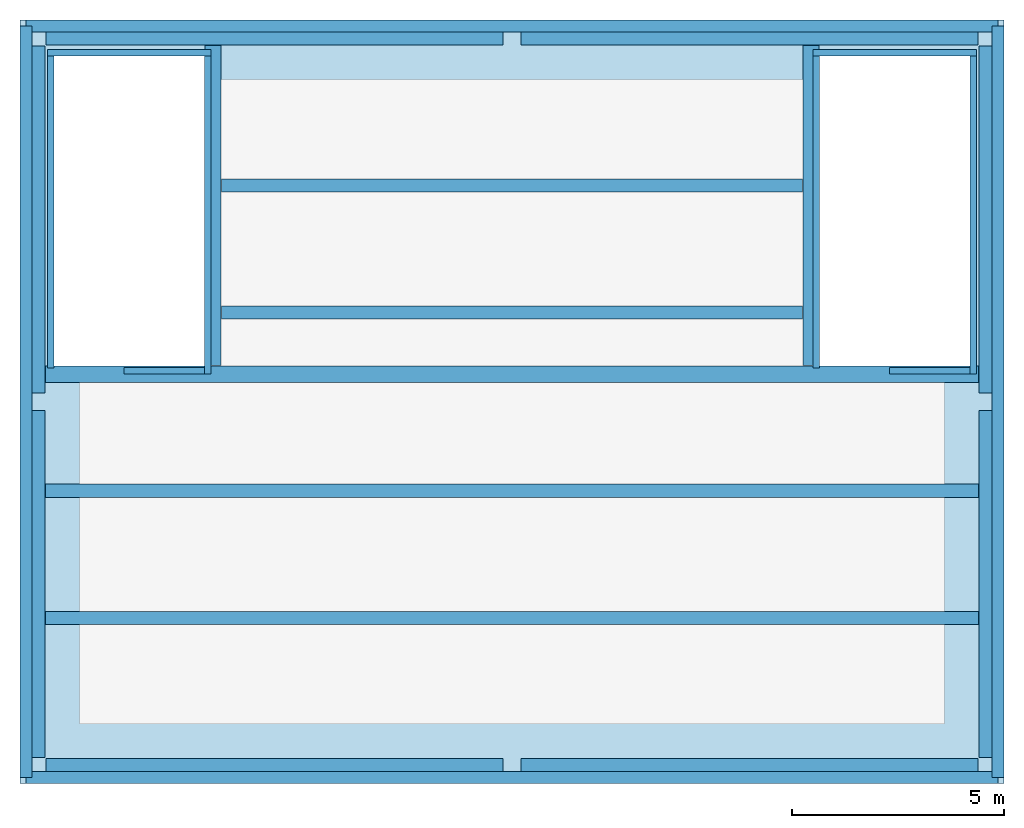
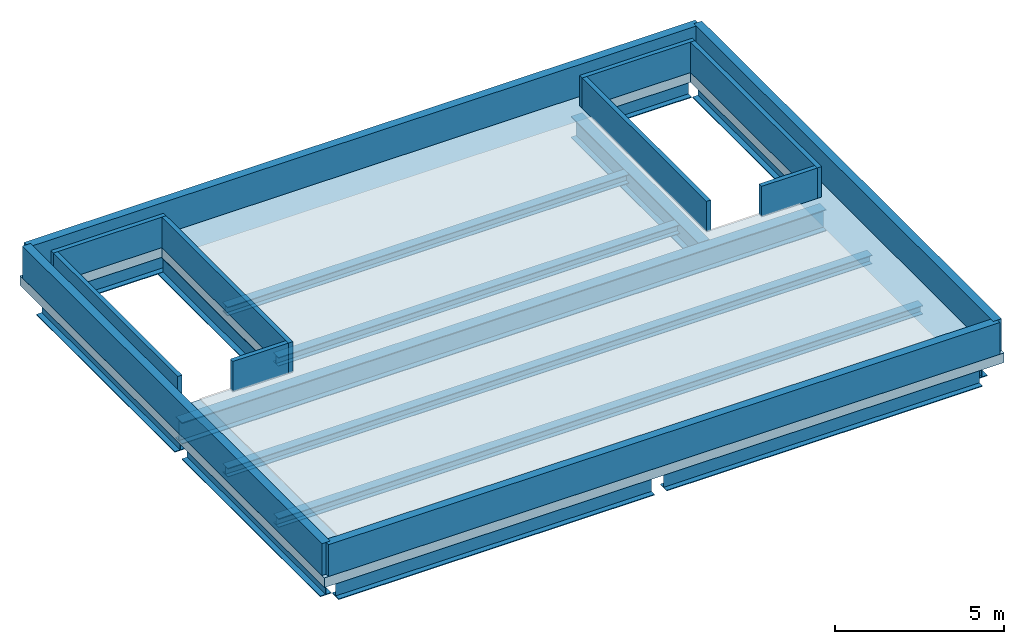
# One storey, part 1 of 2: 15 beams, 12 walls, 1 slab.
"""IFC4 building model written with IfcOpenShell, lengths in metres."""

from ifc_helpers import new_model, si_unit, derived_unit, direction, frame, frame_2d, origin, origin_2d, place, context, subcontext, project, spatial, polyline, rectangle, i_section, outline, extrude, material, layer, layer_set, material_profile, profile_set, type_object, element, save


model = new_model("IFC4")

# Units and contexts
model_context = context("Model", 3, precision=1e-05, world=origin(), true_north=direction((0.0, 1.0)))
body_context = subcontext(model_context, "Body", "Model", "MODEL_VIEW")
ifc_project = project(units=[si_unit("LENGTHUNIT", "METRE"), si_unit("AREAUNIT", "SQUARE_METRE"), si_unit("VOLUMEUNIT", "CUBIC_METRE"), si_unit("PLANEANGLEUNIT", "RADIAN"), si_unit("MASSUNIT", "GRAM", prefix="KILO"), derived_unit("THERMALTRANSMITTANCEUNIT", [(si_unit("POWERUNIT", "WATT"), 1), (si_unit("LENGTHUNIT", "METRE"), -2), (si_unit("THERMODYNAMICTEMPERATUREUNIT", "KELVIN"), -1)])], contexts=[model_context])

# Site, building, storey
site_placement = place(None, origin())
site = spatial("IfcSite", under=ifc_project, at=site_placement, CompositionType="ELEMENT")
building_placement = place(site_placement, origin())
building = spatial("IfcBuilding", under=site, at=building_placement, Name="Koralith Skygarden Medical Center", CompositionType="ELEMENT")
storey_placement = place(building_placement, frame((0.0, 0.0, 309.64990234375)))
storey = spatial("IfcBuildingStorey", under=building, at=storey_placement, Name="Upper Roof", CompositionType="ELEMENT", Elevation=309.64990234375)

# Beams
ifc_material_1 = material(Name="Steel ASTM A992 Grade 50", Category="steel")
ifc_material_profile_1 = material_profile(ifc_material_1, i_section(OverallWidth=0.382080078125, OverallDepth=0.779052734375, WebThickness=0.01806640625, FlangeThickness=0.030029296875, at=origin_2d()), Name="W30X191")
ifc_profile_set_1 = profile_set([ifc_material_profile_1], Name="Steel ASTM A992 Grade 50")
beam_type_1 = type_object("IfcBeamType", Name="Helipad Deck Girder W30X191", PredefinedType="BEAM", material=ifc_profile_set_1)
for number, where, z_axis, x_axis, name in (
    (1, (26.010009765625, 17.300048828125, -0.739013671875), (1.0, 0.0, 0.0), (0.0, 1.0, 0.0), "Helipad Ring Girder HRG-01"),
    (2, (37.2099609375, 17.300048828125, -0.739013671875), (1.0, 0.0, 0.0), (0.0, 1.0, 0.0), "Helipad Ring Girder HRG-02"),
):
    element("IfcBeam", number, at=place(storey_placement, frame(where, z_axis=z_axis, x_axis=x_axis)), inside=storey, type_object=beam_type_1, Name=name, PredefinedType="BEAM", context=body_context, shape_type="SweptSolid", body=[
        extrude(i_section(OverallWidth=0.382080078125, OverallDepth=0.779052734375, WebThickness=0.01806640625, FlangeThickness=0.030029296875, at=origin_2d()), origin(), (0.0, 0.0, 1.0), 10.780029296875),
    ])
for number, where, z_axis, x_axis, name in (
    (3, (48.199951171875, 17.510009765625, -0.739013671875), (0.0, 1.0, 0.0), (-1.0, 0.0, 0.0), "Helipad Ring Girder HRG-03"),
    (4, (48.199951171875, 26.110107421875, -0.739013671875), (0.0, 1.0, 0.0), (-1.0, 0.0, 0.0), "Helipad Ring Girder HRG-04"),
):
    element("IfcBeam", number, at=place(storey_placement, frame(where, z_axis=z_axis, x_axis=x_axis)), inside=storey, type_object=beam_type_1, Name=name, PredefinedType="BEAM", context=body_context, shape_type="SweptSolid", body=[
        extrude(i_section(OverallWidth=0.382080078125, OverallDepth=0.779052734375, WebThickness=0.01806640625, FlangeThickness=0.030029296875, at=origin_2d()), origin(), (0.0, 0.0, 1.0), 8.179931640625),
    ])
for number, where, z_axis, x_axis, name in (
    (5, (47.989990234375, 34.5, -0.739013671875), (-1.0, 0.0, 0.0), (0.0, -1.0, 0.0), "Helipad Ring Girder HRG-05"),
    (6, (36.7900390625, 34.5, -0.739013671875), (-1.0, 0.0, 0.0), (0.0, -1.0, 0.0), "Helipad Ring Girder HRG-06"),
):
    element("IfcBeam", number, at=place(storey_placement, frame(where, z_axis=z_axis, x_axis=x_axis)), inside=storey, type_object=beam_type_1, Name=name, PredefinedType="BEAM", context=body_context, shape_type="SweptSolid", body=[
        extrude(i_section(OverallWidth=0.382080078125, OverallDepth=0.779052734375, WebThickness=0.01806640625, FlangeThickness=0.030029296875, at=origin_2d()), origin(), (0.0, 0.0, 1.0), 10.780029296875),
    ])
for number, where, z_axis, x_axis, name in (
    (7, (25.800048828125, 34.2900390625, -0.739013671875), (0.0, -1.0, 0.0), (1.0, 0.0, 0.0), "Helipad Ring Girder HRG-07"),
    (8, (25.800048828125, 25.68994140625, -0.739013671875), (0.0, -1.0, 0.0), (1.0, 0.0, 0.0), "Helipad Ring Girder HRG-08"),
):
    element("IfcBeam", number, at=place(storey_placement, frame(where, z_axis=z_axis, x_axis=x_axis)), inside=storey, type_object=beam_type_1, Name=name, PredefinedType="BEAM", context=body_context, shape_type="SweptSolid", body=[
        extrude(i_section(OverallWidth=0.382080078125, OverallDepth=0.779052734375, WebThickness=0.01806640625, FlangeThickness=0.030029296875, at=origin_2d()), origin(), (0.0, 0.0, 1.0), 8.179931640625),
    ])
beam_placement = place(storey_placement, frame((26.0, 26.550048828125, -0.739013671875), z_axis=(1.0, 0.0, 0.0), x_axis=(0.0, 1.0, 0.0)))
element("IfcBeam", 9, at=beam_placement, inside=storey, type_object=beam_type_1, Name="Helipad Deck Header Girder HH-01", PredefinedType="BEAM", context=body_context, shape_type="SweptSolid", body=[
    extrude(i_section(OverallWidth=0.382080078125, OverallDepth=0.779052734375, WebThickness=0.01806640625, FlangeThickness=0.030029296875, at=origin_2d()), origin(), (0.0, 0.0, 1.0), 22.0),
])
for number, where, z_axis, x_axis, name in (
    (10, (29.948974609375, 26.75, -0.739013671875), (0.0, 1.0, 0.0), (-1.0, 0.0, 0.0), "Helipad Deck Trimmer Girder HT-01"),
    (11, (44.051025390625, 26.75, -0.739013671875), (0.0, 1.0, 0.0), (-1.0, 0.0, 0.0), "Helipad Deck Trimmer Girder HT-02"),
):
    element("IfcBeam", number, at=place(storey_placement, frame(where, z_axis=z_axis, x_axis=x_axis)), inside=storey, type_object=beam_type_1, Name=name, PredefinedType="BEAM", context=body_context, shape_type="SweptSolid", body=[
        extrude(i_section(OverallWidth=0.382080078125, OverallDepth=0.779052734375, WebThickness=0.01806640625, FlangeThickness=0.030029296875, at=origin_2d()), origin(), (0.0, 0.0, 1.0), 7.550048828125),
    ])
ifc_material_profile_2 = material_profile(ifc_material_1, i_section(OverallWidth=0.30908203125, OverallDepth=0.322998046875, WebThickness=0.013916015625, FlangeThickness=0.02294921875, at=origin_2d()), Name="W12X96")
ifc_profile_set_2 = profile_set([ifc_material_profile_2], Name="Steel ASTM A992 Grade 50")
beam_type_2 = type_object("IfcBeamType", Name="Helipad Secondary Joist W12X96", PredefinedType="JOIST", material=ifc_profile_set_2)
for number, where, z_axis, x_axis, name in (
    (12, (26.0, 20.800048828125, -0.510986328125), (1.0, 0.0, 0.0), (0.0, 1.0, 0.0), "Helipad Deck Joist HJ-01"),
    (13, (26.0, 23.800048828125, -0.510986328125), (1.0, 0.0, 0.0), (0.0, 1.0, 0.0), "Helipad Deck Joist HJ-02"),
):
    element("IfcBeam", number, at=place(storey_placement, frame(where, z_axis=z_axis, x_axis=x_axis)), inside=storey, type_object=beam_type_2, Name=name, PredefinedType="JOIST", context=body_context, shape_type="SweptSolid", body=[
        extrude(i_section(OverallWidth=0.30908203125, OverallDepth=0.322998046875, WebThickness=0.013916015625, FlangeThickness=0.02294921875, at=origin_2d()), origin(), (0.0, 0.0, 1.0), 22.0),
    ])
for number, where, z_axis, x_axis, name in (
    (14, (30.14892578125, 28.0, -0.510986328125), (1.0, 0.0, 0.0), (0.0, 1.0, 0.0), "Helipad Deck Joist HJ-03"),
    (15, (30.14892578125, 31.0, -0.510986328125), (1.0, 0.0, 0.0), (0.0, 1.0, 0.0), "Helipad Deck Joist HJ-04"),
):
    element("IfcBeam", number, at=place(storey_placement, frame(where, z_axis=z_axis, x_axis=x_axis)), inside=storey, type_object=beam_type_2, Name=name, PredefinedType="JOIST", context=body_context, shape_type="SweptSolid", body=[
        extrude(i_section(OverallWidth=0.30908203125, OverallDepth=0.322998046875, WebThickness=0.013916015625, FlangeThickness=0.02294921875, at=origin_2d()), origin(), (0.0, 0.0, 1.0), 13.7021484375),
    ])

# Slab
ifc_material_2 = material(Name="Concrete C55/67", Category="concrete")
ifc_layer_1 = layer(ifc_material_2, 0.35009765625)
ifc_layer_set_1 = layer_set([ifc_layer_1], Name="Concrete C55/67")
slab_type = type_object("IfcSlabType", Name="Air-Ambulance Helipad Deck Slab 350", PredefinedType="ROOF", material=ifc_layer_set_1)
slab_placement = place(storey_placement, frame((0.0, 0.0, -0.349853515625)))
element("IfcSlab", 16, at=slab_placement, inside=storey, type_object=slab_type, Name="Rooftop Air-Ambulance Helipad Deck", PredefinedType="ROOF", context=body_context, shape_type="SweptSolid", body=[
    extrude(outline(polyline([(25.39990234375, 16.89990234375), (48.60009765625, 16.89990234375), (48.60009765625, 34.89990234375), (25.39990234375, 34.89990234375), (25.39990234375, 16.89990234375)]), holes=[polyline([(26.199951171875, 26.705078125), (29.75, 26.705078125), (29.75, 34.050048828125), (26.199951171875, 34.050048828125), (26.199951171875, 26.705078125)]), polyline([(44.25, 26.705078125), (47.800048828125, 26.705078125), (47.800048828125, 34.050048828125), (44.25, 34.050048828125), (44.25, 26.705078125)])]), origin(), (0.0, 0.0, 1.0), 0.349853515625),
])

# Walls
ifc_material_3 = material(Name="Concrete C45/55", Category="concrete")
ifc_layer_2 = layer(ifc_material_3, 0.14990234375)
ifc_layer_set_2 = layer_set([ifc_layer_2], Name="Concrete C45/55")
wall_type_1 = type_object("IfcWallType", Name="Deck Opening Parapet Upstand 150", PredefinedType="PARAPET", material=ifc_layer_set_2)
wall_1_placement = place(storey_placement, frame((29.89990234375, 34.125, 0.0), z_axis=(0.0, 0.0, 1.0), x_axis=(-1.0, 0.0, 0.0)))
element("IfcWall", 17, at=wall_1_placement, inside=storey, type_object=wall_type_1, Name="Helipad Deck ST1 Stair Opening Parapet FAR", PredefinedType="PARAPET", context=body_context, shape_type="SweptSolid", body=[
    extrude(rectangle(XDim=3.849853515625, YDim=0.14990234375, at=frame_2d((1.9248046875, 0.0))), origin(), (0.0, 0.0, 1.0), 1.10009765625),
])
wall_2_placement = place(storey_placement, frame((29.824951171875, 26.554931640625, 0.0), z_axis=(0.0, 0.0, 1.0), x_axis=(0.0, 1.0, 0.0)))
element("IfcWall", 18, at=wall_2_placement, inside=storey, type_object=wall_type_1, Name="Helipad Deck ST1 Stair Opening Parapet LEFT", PredefinedType="PARAPET", context=body_context, shape_type="SweptSolid", body=[
    extrude(rectangle(XDim=7.4951171875, YDim=0.14990234375, at=frame_2d((3.74755859375, 0.0))), origin(), (0.0, 0.0, 1.0), 1.10009765625),
])
wall_3_placement = place(storey_placement, frame((26.125, 26.699951171875, 0.0), z_axis=(0.0, 0.0, 1.0), x_axis=(0.0, 1.0, 0.0)))
element("IfcWall", 19, at=wall_3_placement, inside=storey, type_object=wall_type_1, Name="Helipad Deck ST1 Stair Opening Parapet RIGHT", PredefinedType="PARAPET", context=body_context, shape_type="SweptSolid", body=[
    extrude(rectangle(XDim=7.35009765625, YDim=0.14990234375, at=frame_2d((3.675048828125, 0.0))), origin(), (0.0, 0.0, 1.0), 1.10009765625),
])
wall_4_placement = place(storey_placement, frame((29.75, 26.6298828125, 0.0), z_axis=(0.0, 0.0, 1.0), x_axis=(-1.0, 0.0, 0.0)))
element("IfcWall", 20, at=wall_4_placement, inside=storey, type_object=wall_type_1, Name="Helipad Deck ST1 Stair Opening Parapet NEAR", PredefinedType="PARAPET", context=body_context, shape_type="SweptSolid", body=[
    extrude(rectangle(XDim=1.89990234375, YDim=0.14990234375, at=frame_2d((0.949951171875, 0.0))), origin(), (0.0, 0.0, 1.0), 1.10009765625),
])
wall_5_placement = place(storey_placement, frame((47.949951171875, 34.125, 0.0), z_axis=(0.0, 0.0, 1.0), x_axis=(-1.0, 0.0, 0.0)))
element("IfcWall", 21, at=wall_5_placement, inside=storey, type_object=wall_type_1, Name="Helipad Deck ST2 Stair Opening Parapet FAR", PredefinedType="PARAPET", context=body_context, shape_type="SweptSolid", body=[
    extrude(rectangle(XDim=3.849853515625, YDim=0.14990234375, at=frame_2d((1.9248046875, 0.0))), origin(), (0.0, 0.0, 1.0), 1.10009765625),
])
wall_6_placement = place(storey_placement, frame((47.875, 26.554931640625, 0.0), z_axis=(0.0, 0.0, 1.0), x_axis=(0.0, 1.0, 0.0)))
element("IfcWall", 22, at=wall_6_placement, inside=storey, type_object=wall_type_1, Name="Helipad Deck ST2 Stair Opening Parapet LEFT", PredefinedType="PARAPET", context=body_context, shape_type="SweptSolid", body=[
    extrude(rectangle(XDim=7.4951171875, YDim=0.14990234375, at=frame_2d((3.74755859375, 0.0))), origin(), (0.0, 0.0, 1.0), 1.10009765625),
])
wall_7_placement = place(storey_placement, frame((44.175048828125, 26.699951171875, 0.0), z_axis=(0.0, 0.0, 1.0), x_axis=(0.0, 1.0, 0.0)))
element("IfcWall", 23, at=wall_7_placement, inside=storey, type_object=wall_type_1, Name="Helipad Deck ST2 Stair Opening Parapet RIGHT", PredefinedType="PARAPET", context=body_context, shape_type="SweptSolid", body=[
    extrude(rectangle(XDim=7.35009765625, YDim=0.14990234375, at=frame_2d((3.675048828125, 0.0))), origin(), (0.0, 0.0, 1.0), 1.10009765625),
])
wall_8_placement = place(storey_placement, frame((47.800048828125, 26.6298828125, 0.0), z_axis=(0.0, 0.0, 1.0), x_axis=(-1.0, 0.0, 0.0)))
element("IfcWall", 24, at=wall_8_placement, inside=storey, type_object=wall_type_1, Name="Helipad Deck ST2 Stair Opening Parapet NEAR", PredefinedType="PARAPET", context=body_context, shape_type="SweptSolid", body=[
    extrude(rectangle(XDim=1.900146484375, YDim=0.14990234375, at=frame_2d((0.9501953125, 0.0))), origin(), (0.0, 0.0, 1.0), 1.10009765625),
])
ifc_layer_3 = layer(ifc_material_3, 0.280029296875)
ifc_layer_set_3 = layer_set([ifc_layer_3], Name="Concrete C45/55")
wall_type_2 = type_object("IfcWallType", Name="Maintenance Roof Parapet Upstand 280", PredefinedType="PARAPET", material=ifc_layer_set_3)
wall_9_placement = place(storey_placement, frame((25.5400390625, 17.0400390625, 0.0), z_axis=(0.0, 0.0, 1.0), x_axis=(1.0, 0.0, 0.0)))
element("IfcWall", 25, at=wall_9_placement, inside=storey, type_object=wall_type_2, Name="RF Helipad Perimeter Safety Upstand S", PredefinedType="PARAPET", context=body_context, shape_type="SweptSolid", body=[
    extrude(rectangle(XDim=22.919921875, YDim=0.280029296875, at=frame_2d((11.4599609375, 0.0))), origin(), (0.0, 0.0, 1.0), 1.150146484375),
])
wall_10_placement = place(storey_placement, frame((48.4599609375, 17.0400390625, 0.0), z_axis=(0.0, 0.0, 1.0), x_axis=(0.0, 1.0, 0.0)))
element("IfcWall", 26, at=wall_10_placement, inside=storey, type_object=wall_type_2, Name="RF Helipad Perimeter Safety Upstand E", PredefinedType="PARAPET", context=body_context, shape_type="SweptSolid", body=[
    extrude(rectangle(XDim=17.719970703125, YDim=0.280029296875, at=frame_2d((8.85986328125, 0.0))), origin(), (0.0, 0.0, 1.0), 1.150146484375),
])
wall_11_placement = place(storey_placement, frame((48.4599609375, 34.760009765625, 0.0), z_axis=(0.0, 0.0, 1.0), x_axis=(-1.0, 0.0, 0.0)))
element("IfcWall", 27, at=wall_11_placement, inside=storey, type_object=wall_type_2, Name="RF Helipad Perimeter Safety Upstand N", PredefinedType="PARAPET", context=body_context, shape_type="SweptSolid", body=[
    extrude(rectangle(XDim=22.919921875, YDim=0.280029296875, at=frame_2d((11.4599609375, 0.0))), origin(), (0.0, 0.0, 1.0), 1.150146484375),
])
wall_12_placement = place(storey_placement, frame((25.5400390625, 34.760009765625, 0.0), z_axis=(0.0, 0.0, 1.0), x_axis=(0.0, -1.0, 0.0)))
element("IfcWall", 28, at=wall_12_placement, inside=storey, type_object=wall_type_2, Name="RF Helipad Perimeter Safety Upstand W", PredefinedType="PARAPET", context=body_context, shape_type="SweptSolid", body=[
    extrude(rectangle(XDim=17.719970703125, YDim=0.280029296875, at=frame_2d((8.85986328125, 0.0))), origin(), (0.0, 0.0, 1.0), 1.150146484375),
])

save(model, "model.ifc")
